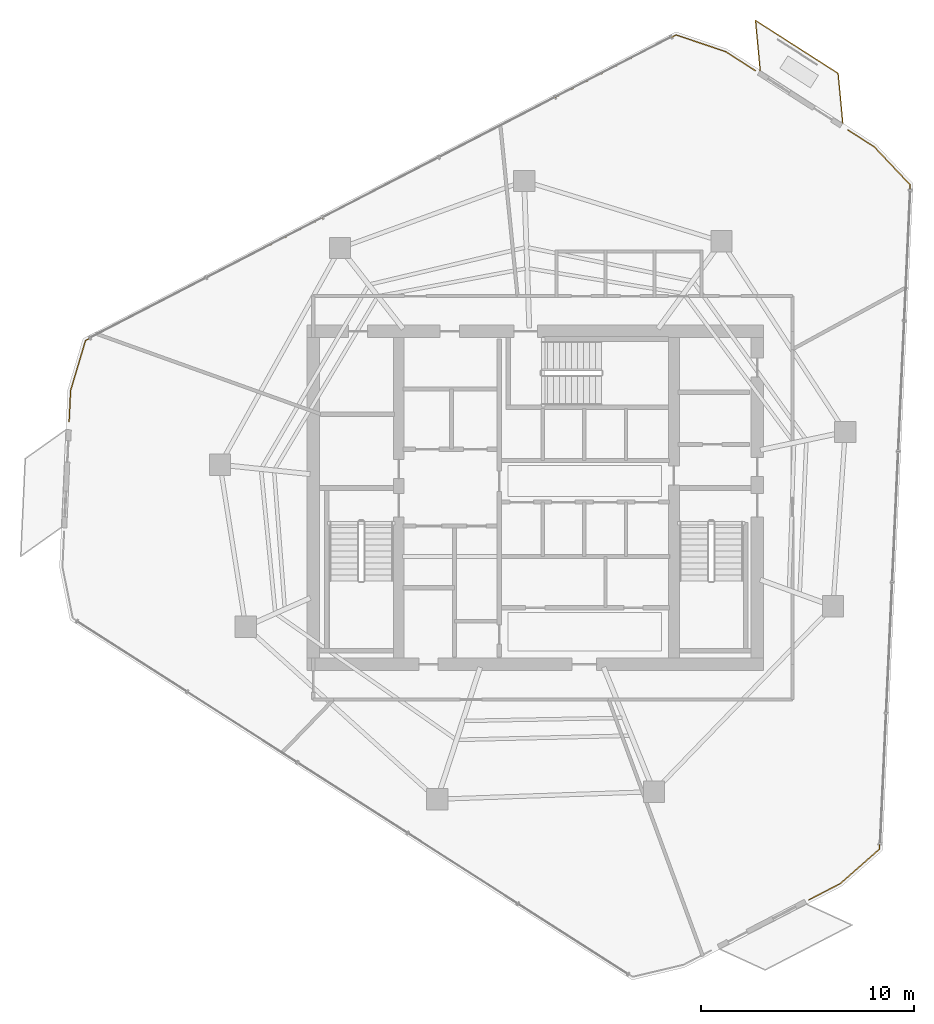
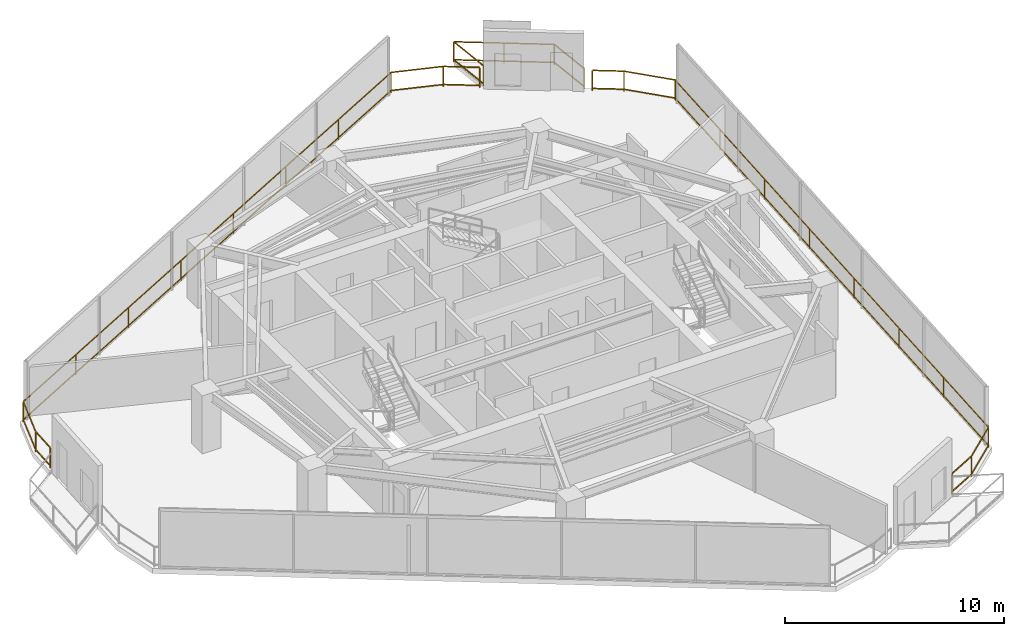
# One storey, part 20 of 20: 4 railings.
"""IFC4 building model written with IfcOpenShell, lengths in metres."""

from ifc_helpers import new_model, si_unit, direction, frame, origin, origin_2d, place, context, subcontext, project, spatial, rectangle, extrude, material, type_object, element, save


model = new_model("IFC4")

# Units and contexts
model_context = context("Model", 3, precision=1e-05, world=origin(), true_north=direction((0.0, 1.0)))
body_context = subcontext(model_context, "Body", "Model", "MODEL_VIEW")
ifc_project = project(units=[si_unit("LENGTHUNIT", "METRE"), si_unit("AREAUNIT", "SQUARE_METRE"), si_unit("VOLUMEUNIT", "CUBIC_METRE"), si_unit("PLANEANGLEUNIT", "RADIAN"), si_unit("MASSUNIT", "GRAM", prefix="KILO")], contexts=[model_context])

# Site, building, storey
site_placement = place(None, origin())
site = spatial("IfcSite", under=ifc_project, at=site_placement, CompositionType="ELEMENT")
building_placement = place(site_placement, origin())
building = spatial("IfcBuilding", under=site, at=building_placement, Name="Qarnah Convention Tower", CompositionType="ELEMENT")
storey_placement = place(building_placement, frame((0.0, 0.0, 168.89990234375)))
storey = spatial("IfcBuildingStorey", under=building, at=storey_placement, Name="L45", CompositionType="ELEMENT", Elevation=168.89990234375)

# Railings
ifc_material = material(Name="Black anodised aluminium", Category="aluminium")
railing_type = type_object("IfcRailingType", Name="RL-EXT-GUARD-1150", PredefinedType="GUARDRAIL", material=ifc_material)
railing_1_placement = place(storey_placement, frame((46.12109375, 47.306884765625, 0.0)))
element("IfcRailing", 1, at=railing_1_placement, inside=storey, type_object=railing_type, Name="L45 slab-edge perimeter safety guard 01", PredefinedType="GUARDRAIL", context=body_context, shape_type="SweptSolid", body=[
    extrude(rectangle(XDim=0.048095703125, YDim=0.048095703125, at=origin_2d()), frame((0.0, 0.0, 1.1259765625), z_axis=(0.841988602648, -0.539495313242, 0.0), x_axis=(0.539495313242, 0.841988602648, 0.0)), (0.0, 0.0, 1.0), 1.66259765625),
    extrude(rectangle(XDim=0.048095703125, YDim=0.048095703125, at=origin_2d()), frame((0.0, 0.0, 0.1201171875), z_axis=(0.841988602648, -0.539495313242, 0.0), x_axis=(0.539495313242, 0.841988602648, 0.0)), (0.0, 0.0, 1.0), 1.66259765625),
    extrude(rectangle(XDim=0.0419921875, YDim=0.0419921875, at=origin_2d()), origin(), (0.0, 0.0, 1.0), 1.101806640625),
    extrude(rectangle(XDim=0.0419921875, YDim=0.0419921875, at=origin_2d()), frame((1.39990234375, -0.89697265625, 0.0)), (0.0, 0.0, 1.0), 1.101806640625),
])
railing_2_placement = place(storey_placement, frame((51.864990234375, 43.626953125, 0.0)))
element("IfcRailing", 2, at=railing_2_placement, inside=storey, type_object=railing_type, Name="L45 slab-edge perimeter safety guard 02", PredefinedType="GUARDRAIL", context=body_context, shape_type="SweptSolid", body=[
    extrude(rectangle(XDim=0.048095703125, YDim=0.048095703125, at=origin_2d()), frame((0.0, 0.0, 1.1259765625), z_axis=(0.841981032794, -0.539507127307, 0.0), x_axis=(0.539507127307, 0.841981032794, 0.0)), (0.0, 0.0, 1.0), 1.451171875),
    extrude(rectangle(XDim=0.048095703125, YDim=0.048095703125, at=origin_2d()), frame((0.0, 0.0, 0.1201171875), z_axis=(0.841981032794, -0.539507127307, 0.0), x_axis=(0.539507127307, 0.841981032794, 0.0)), (0.0, 0.0, 1.0), 1.451171875),
    extrude(rectangle(XDim=0.048095703125, YDim=0.048095703125, at=origin_2d()), frame((1.221923828125, -0.782958984375, 1.1259765625), z_axis=(0.686603013812, -0.7270325312, 0.0), x_axis=(0.7270325312, 0.686603013812, 0.0)), (0.0, 0.0, 1.0), 2.445556640625),
    extrude(rectangle(XDim=0.048095703125, YDim=0.048095703125, at=origin_2d()), frame((1.221923828125, -0.782958984375, 0.1201171875), z_axis=(0.686603013812, -0.7270325312, 0.0), x_axis=(0.7270325312, 0.686603013812, 0.0)), (0.0, 0.0, 1.0), 2.445556640625),
    extrude(rectangle(XDim=0.048095703125, YDim=0.048095703125, at=origin_2d()), frame((2.901123046875, -2.56103515625, 1.1259765625), z_axis=(-0.046057372018, -0.998938796165, 0.0), x_axis=(0.998938796165, -0.046057372018, 0.0)), (0.0, 0.0, 1.0), 31.157958984375),
    extrude(rectangle(XDim=0.048095703125, YDim=0.048095703125, at=origin_2d()), frame((2.901123046875, -2.56103515625, 0.1201171875), z_axis=(-0.046057372018, -0.998938796165, 0.0), x_axis=(0.998938796165, -0.046057372018, 0.0)), (0.0, 0.0, 1.0), 31.157958984375),
    extrude(rectangle(XDim=0.048095703125, YDim=0.048095703125, at=origin_2d()), frame((1.466064453125, -33.68603515625, 1.1259765625), z_axis=(-0.750446200008, -0.660931540247, 0.0), x_axis=(0.660931540247, -0.750446200008, 0.0)), (0.0, 0.0, 1.0), 2.446533203125),
    extrude(rectangle(XDim=0.048095703125, YDim=0.048095703125, at=origin_2d()), frame((1.466064453125, -33.68603515625, 0.1201171875), z_axis=(-0.750446200008, -0.660931540247, 0.0), x_axis=(0.660931540247, -0.750446200008, 0.0)), (0.0, 0.0, 1.0), 2.446533203125),
    extrude(rectangle(XDim=0.048095703125, YDim=0.048095703125, at=origin_2d()), frame((-0.369873046875, -35.302978515625, 1.1259765625), z_axis=(-0.888351994349, -0.459163080109, 0.0), x_axis=(0.459163080109, -0.888351994349, 0.0)), (0.0, 0.0, 1.0), 1.66162109375),
    extrude(rectangle(XDim=0.048095703125, YDim=0.048095703125, at=origin_2d()), frame((-0.369873046875, -35.302978515625, 0.1201171875), z_axis=(-0.888351994349, -0.459163080109, 0.0), x_axis=(0.459163080109, -0.888351994349, 0.0)), (0.0, 0.0, 1.0), 1.66162109375),
    extrude(rectangle(XDim=0.0419921875, YDim=0.0419921875, at=origin_2d()), origin(), (0.0, 0.0, 1.0), 1.101806640625),
    extrude(rectangle(XDim=0.0419921875, YDim=0.0419921875, at=origin_2d()), frame((1.221923828125, -0.782958984375, 0.0)), (0.0, 0.0, 1.0), 1.101806640625),
    extrude(rectangle(XDim=0.0419921875, YDim=0.0419921875, at=origin_2d()), frame((2.901123046875, -2.56103515625, 0.0)), (0.0, 0.0, 1.0), 1.101806640625),
    extrude(rectangle(XDim=0.0419921875, YDim=0.0419921875, at=origin_2d()), frame((2.696044921875, -7.007568359375, 0.0)), (0.0, 0.0, 1.0), 1.101806640625),
    extrude(rectangle(XDim=0.0419921875, YDim=0.0419921875, at=origin_2d()), frame((2.4912109375, -11.453857421875, 0.0)), (0.0, 0.0, 1.0), 1.101806640625),
    extrude(rectangle(XDim=0.0419921875, YDim=0.0419921875, at=origin_2d()), frame((2.2861328125, -15.900390625, 0.0)), (0.0, 0.0, 1.0), 1.101806640625),
    extrude(rectangle(XDim=0.0419921875, YDim=0.0419921875, at=origin_2d()), frame((2.0810546875, -20.3466796875, 0.0)), (0.0, 0.0, 1.0), 1.101806640625),
    extrude(rectangle(XDim=0.0419921875, YDim=0.0419921875, at=origin_2d()), frame((1.8759765625, -24.793212890625, 0.0)), (0.0, 0.0, 1.0), 1.101806640625),
    extrude(rectangle(XDim=0.0419921875, YDim=0.0419921875, at=origin_2d()), frame((1.671142578125, -29.239501953125, 0.0)), (0.0, 0.0, 1.0), 1.101806640625),
    extrude(rectangle(XDim=0.0419921875, YDim=0.0419921875, at=origin_2d()), frame((1.466064453125, -33.68603515625, 0.0)), (0.0, 0.0, 1.0), 1.101806640625),
    extrude(rectangle(XDim=0.0419921875, YDim=0.0419921875, at=origin_2d()), frame((-0.369873046875, -35.302978515625, 0.0)), (0.0, 0.0, 1.0), 1.101806640625),
    extrude(rectangle(XDim=0.0419921875, YDim=0.0419921875, at=origin_2d()), frame((-1.845947265625, -36.06591796875, 0.0)), (0.0, 0.0, 1.0), 1.101806640625),
])
railing_3_placement = place(storey_placement, frame((15.363037109375, 29.97607421875, 0.0)))
element("IfcRailing", 3, at=railing_3_placement, inside=storey, type_object=railing_type, Name="L45 slab-edge perimeter safety guard 04", PredefinedType="GUARDRAIL", context=body_context, shape_type="SweptSolid", body=[
    extrude(rectangle(XDim=0.048095703125, YDim=0.048095703125, at=origin_2d()), frame((0.0, 0.0, 1.1259765625), z_axis=(0.046117686216, 0.998936013475, 0.0), x_axis=(-0.998936013475, 0.046117686216, 0.0)), (0.0, 0.0, 1.0), 1.450439453125),
    extrude(rectangle(XDim=0.048095703125, YDim=0.048095703125, at=origin_2d()), frame((0.0, 0.0, 0.1201171875), z_axis=(0.046117686216, 0.998936013475, 0.0), x_axis=(-0.998936013475, 0.046117686216, 0.0)), (0.0, 0.0, 1.0), 1.450439453125),
    extrude(rectangle(XDim=0.048095703125, YDim=0.048095703125, at=origin_2d()), frame((0.06689453125, 1.448974609375, 1.1259765625), z_axis=(0.286129896185, 0.958190838252, 0.0), x_axis=(-0.958190838252, 0.286129896185, 0.0)), (0.0, 0.0, 1.0), 2.4462890625),
    extrude(rectangle(XDim=0.048095703125, YDim=0.048095703125, at=origin_2d()), frame((0.06689453125, 1.448974609375, 0.1201171875), z_axis=(0.286129896185, 0.958190838252, 0.0), x_axis=(-0.958190838252, 0.286129896185, 0.0)), (0.0, 0.0, 1.0), 2.4462890625),
    extrude(rectangle(XDim=0.048095703125, YDim=0.048095703125, at=origin_2d()), frame((0.766845703125, 3.79296875, 1.1259765625), z_axis=(0.88815644485, 0.459541216293, 0.0), x_axis=(-0.459541216293, 0.88815644485, 0.0)), (0.0, 0.0, 1.0), 31.158935546875),
    extrude(rectangle(XDim=0.048095703125, YDim=0.048095703125, at=origin_2d()), frame((0.766845703125, 3.79296875, 0.1201171875), z_axis=(0.88815644485, 0.459541216293, 0.0), x_axis=(-0.459541216293, 0.88815644485, 0.0)), (0.0, 0.0, 1.0), 31.158935546875),
    extrude(rectangle(XDim=0.048095703125, YDim=0.048095703125, at=origin_2d()), frame((28.44091796875, 18.11181640625, 1.1259765625), z_axis=(0.947619638284, -0.319401034967, 0.0), x_axis=(0.319401034967, 0.947619638284, 0.0)), (0.0, 0.0, 1.0), 2.4453125),
    extrude(rectangle(XDim=0.048095703125, YDim=0.048095703125, at=origin_2d()), frame((28.44091796875, 18.11181640625, 0.1201171875), z_axis=(0.947619638284, -0.319401034967, 0.0), x_axis=(0.319401034967, 0.947619638284, 0.0)), (0.0, 0.0, 1.0), 2.4453125),
    extrude(rectangle(XDim=0.0419921875, YDim=0.0419921875, at=origin_2d()), origin(), (0.0, 0.0, 1.0), 1.101806640625),
    extrude(rectangle(XDim=0.0419921875, YDim=0.0419921875, at=origin_2d()), frame((0.06689453125, 1.448974609375, 0.0)), (0.0, 0.0, 1.0), 1.101806640625),
    extrude(rectangle(XDim=0.0419921875, YDim=0.0419921875, at=origin_2d()), frame((0.766845703125, 3.79296875, 0.0)), (0.0, 0.0, 1.0), 1.101806640625),
    extrude(rectangle(XDim=0.0419921875, YDim=0.0419921875, at=origin_2d()), frame((4.72021484375, 5.838623046875, 0.0)), (0.0, 0.0, 1.0), 1.101806640625),
    extrude(rectangle(XDim=0.0419921875, YDim=0.0419921875, at=origin_2d()), frame((8.673828125, 7.884033203125, 0.0)), (0.0, 0.0, 1.0), 1.101806640625),
    extrude(rectangle(XDim=0.0419921875, YDim=0.0419921875, at=origin_2d()), frame((12.627197265625, 9.9296875, 0.0)), (0.0, 0.0, 1.0), 1.101806640625),
    extrude(rectangle(XDim=0.0419921875, YDim=0.0419921875, at=origin_2d()), frame((16.58056640625, 11.97509765625, 0.0)), (0.0, 0.0, 1.0), 1.101806640625),
    extrude(rectangle(XDim=0.0419921875, YDim=0.0419921875, at=origin_2d()), frame((20.533935546875, 14.020751953125, 0.0)), (0.0, 0.0, 1.0), 1.101806640625),
    extrude(rectangle(XDim=0.0419921875, YDim=0.0419921875, at=origin_2d()), frame((24.487548828125, 16.066162109375, 0.0)), (0.0, 0.0, 1.0), 1.101806640625),
    extrude(rectangle(XDim=0.0419921875, YDim=0.0419921875, at=origin_2d()), frame((28.44091796875, 18.11181640625, 0.0)), (0.0, 0.0, 1.0), 1.101806640625),
    extrude(rectangle(XDim=0.0419921875, YDim=0.0419921875, at=origin_2d()), frame((30.758056640625, 17.330810546875, 0.0)), (0.0, 0.0, 1.0), 1.101806640625),
])
railing_4_placement = place(storey_placement, frame((47.739990234375, 46.429931640625, 0.0)))
element("IfcRailing", 4, at=railing_4_placement, inside=storey, type_object=railing_type, Name="L45 balcony safety guard BAL-L45-C1", PredefinedType="GUARDRAIL", context=body_context, shape_type="SweptSolid", body=[
    extrude(rectangle(XDim=0.048095703125, YDim=0.048095703125, at=origin_2d()), frame((0.0, 0.0, 1.1259765625), z_axis=(-0.093292381047, 0.995638755593, 0.0), x_axis=(-0.995638755593, -0.093292381047, 0.0)), (0.0, 0.0, 1.0), 2.347412109375),
    extrude(rectangle(XDim=0.048095703125, YDim=0.048095703125, at=origin_2d()), frame((0.0, 0.0, 0.1201171875), z_axis=(-0.093292381047, 0.995638755593, 0.0), x_axis=(-0.995638755593, -0.093292381047, 0.0)), (0.0, 0.0, 1.0), 2.347412109375),
    extrude(rectangle(XDim=0.048095703125, YDim=0.048095703125, at=origin_2d()), frame((-0.218994140625, 2.337158203125, 1.1259765625), z_axis=(0.842029362082, -0.539431694834, 0.0), x_axis=(0.539431694834, 0.842029362082, 0.0)), (0.0, 0.0, 1.0), 4.599609375),
    extrude(rectangle(XDim=0.048095703125, YDim=0.048095703125, at=origin_2d()), frame((-0.218994140625, 2.337158203125, 0.1201171875), z_axis=(0.842029362082, -0.539431694834, 0.0), x_axis=(0.539431694834, 0.842029362082, 0.0)), (0.0, 0.0, 1.0), 4.599609375),
    extrude(rectangle(XDim=0.048095703125, YDim=0.048095703125, at=origin_2d()), frame((3.654052734375, -0.14404296875, 1.1259765625), z_axis=(0.093714459222, -0.995599116177, 0.0), x_axis=(0.995599116177, 0.093714459222, 0.0)), (0.0, 0.0, 1.0), 2.34716796875),
    extrude(rectangle(XDim=0.048095703125, YDim=0.048095703125, at=origin_2d()), frame((3.654052734375, -0.14404296875, 0.1201171875), z_axis=(0.093714459222, -0.995599116177, 0.0), x_axis=(0.995599116177, 0.093714459222, 0.0)), (0.0, 0.0, 1.0), 2.34716796875),
    extrude(rectangle(XDim=0.0419921875, YDim=0.0419921875, at=origin_2d()), origin(), (0.0, 0.0, 1.0), 1.101806640625),
    extrude(rectangle(XDim=0.0419921875, YDim=0.0419921875, at=origin_2d()), frame((-0.218994140625, 2.337158203125, 0.0)), (0.0, 0.0, 1.0), 1.101806640625),
    extrude(rectangle(XDim=0.0419921875, YDim=0.0419921875, at=origin_2d()), frame((1.717529296875, 1.0966796875, 0.0)), (0.0, 0.0, 1.0), 1.101806640625),
    extrude(rectangle(XDim=0.0419921875, YDim=0.0419921875, at=origin_2d()), frame((3.654052734375, -0.14404296875, 0.0)), (0.0, 0.0, 1.0), 1.101806640625),
    extrude(rectangle(XDim=0.0419921875, YDim=0.0419921875, at=origin_2d()), frame((3.8740234375, -2.48095703125, 0.0)), (0.0, 0.0, 1.0), 1.101806640625),
])

save(model, "model.ifc")
